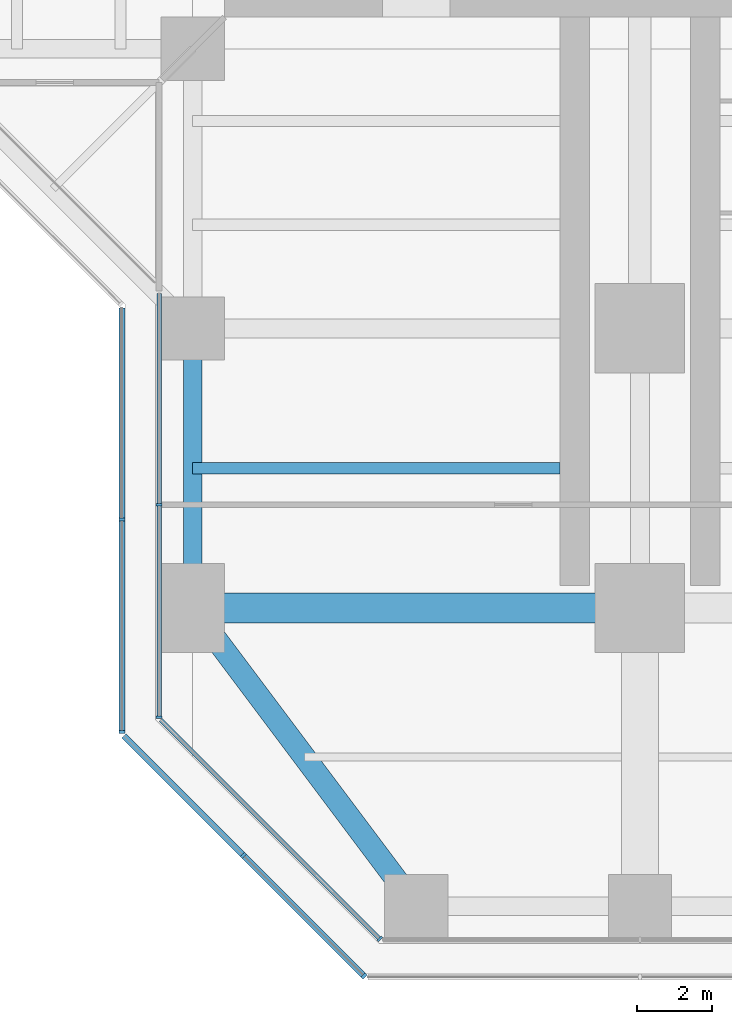
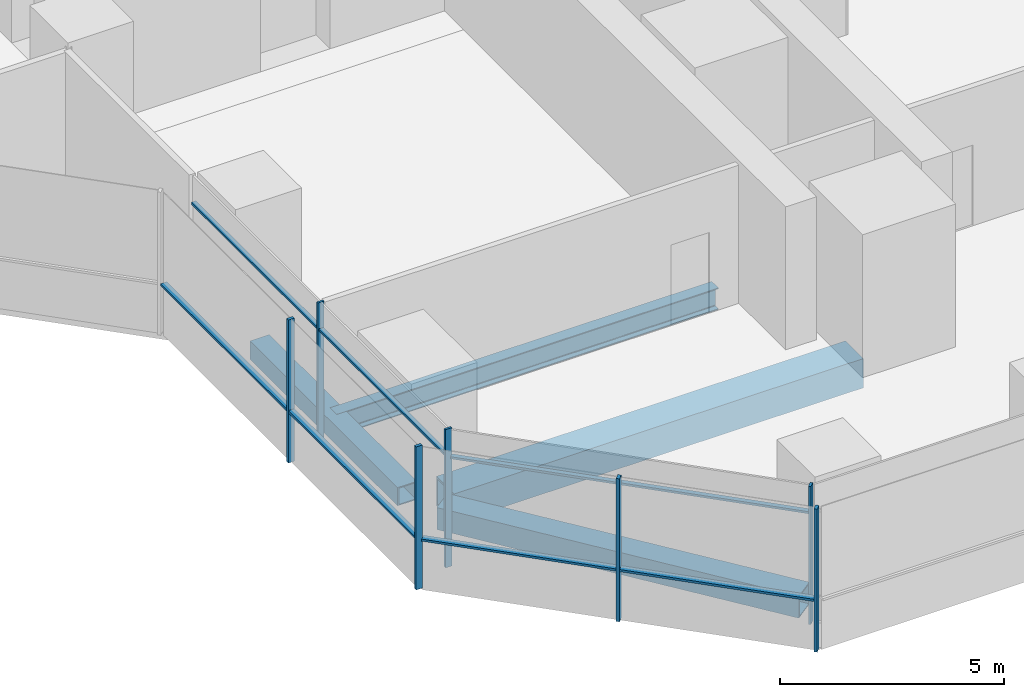
# One storey, part 2 of 22: 14 members, 4 beams, 4 elements without a shape of their own.
"""IFC4 building model written with IfcOpenShell, lengths in metres."""

from ifc_helpers import new_model, si_unit, direction, frame, origin, origin_2d, place, context, subcontext, project, spatial, rectangle, hollow_rectangle, i_section, extrude, material, material_profile, profile_set, type_object, element, aggregate, save


model = new_model("IFC4")

# Units and contexts
model_context = context("Model", 3, precision=1e-05, world=origin(), true_north=direction((0.0, 1.0)))
body_context = subcontext(model_context, "Body", "Model", "MODEL_VIEW")
ifc_project = project(units=[si_unit("LENGTHUNIT", "METRE"), si_unit("AREAUNIT", "SQUARE_METRE"), si_unit("VOLUMEUNIT", "CUBIC_METRE"), si_unit("PLANEANGLEUNIT", "RADIAN"), si_unit("MASSUNIT", "GRAM", prefix="KILO")], contexts=[model_context])

# Site, building, storey
site_placement = place(None, origin())
site = spatial("IfcSite", under=ifc_project, at=site_placement, CompositionType="ELEMENT")
building_placement = place(site_placement, origin())
building = spatial("IfcBuilding", under=site, at=building_placement, Name="Mizan Broadcast Tower", CompositionType="ELEMENT")
storey_placement = place(building_placement, frame((0.0, 0.0, 109.800048828125)))
storey = spatial("IfcBuildingStorey", under=building, at=storey_placement, Name="L24", CompositionType="ELEMENT", Elevation=109.800048828125)

# Beams
ifc_material_1 = material(Name="Steel S355", Category="steel")
ifc_material_profile_1 = material_profile(ifc_material_1, hollow_rectangle(XDim=0.5, YDim=0.5, WallThickness=0.030029296875, at=origin_2d()), Name="BOX 500x500x30")
ifc_profile_set_1 = profile_set([ifc_material_profile_1], Name="Steel S355")
beam_type_1 = type_object("IfcBeamType", Name="EDGE BEAM BOX 500x500x30", PredefinedType="SPANDREL", material=ifc_profile_set_1)
beam_1_placement = place(storey_placement, frame((-12.0, -19.949951171875, -0.380126953125), z_axis=(0.0, -1.0, 0.0), x_axis=(1.0, 0.0, 0.0)))
element("IfcBeam", 1, at=beam_1_placement, inside=storey, type_object=beam_type_1, Name="Edge beam BOX 500x500x30 L24 south arm", PredefinedType="SPANDREL", context=body_context, shape_type="SweptSolid", body=[
    extrude(hollow_rectangle(XDim=0.5, YDim=0.5, WallThickness=0.030029296875, at=origin_2d()), origin(), (0.0, 0.0, 1.0), 6.60009765625),
])
ifc_material_2 = material(Name="Steel S355", Category="steel")
ifc_material_profile_2 = material_profile(ifc_material_2, hollow_rectangle(XDim=0.60009765625, YDim=0.60009765625, WallThickness=0.030029296875, at=origin_2d()), Name="BOX 600x600x30")
ifc_profile_set_2 = profile_set([ifc_material_profile_2], Name="Steel S355")
beam_type_2 = type_object("IfcBeamType", Name="EDGE BEAM BOX 600x600x30", PredefinedType="SPANDREL", material=ifc_profile_set_2)
beam_2_placement = place(storey_placement, frame((-11.639892578125, -27.47998046875, -0.429931640625), z_axis=(0.599982243973, -0.800013316712, 0.0), x_axis=(0.800013316712, 0.599982243973, 0.0)))
element("IfcBeam", 2, at=beam_2_placement, inside=storey, type_object=beam_type_2, Name="Edge beam BOX 600x600x30 L24 south arm", PredefinedType="SPANDREL", context=body_context, shape_type="SweptSolid", body=[
    extrude(hollow_rectangle(XDim=0.60009765625, YDim=0.60009765625, WallThickness=0.030029296875, at=origin_2d()), origin(), (0.0, 0.0, 1.0), 8.7998046875),
])
ifc_material_3 = material(Name="Steel S460", Category="steel")
ifc_material_profile_3 = material_profile(ifc_material_3, hollow_rectangle(XDim=0.800048828125, YDim=0.800048828125, WallThickness=0.050048828125, at=origin_2d()), Name="BOX 800x800x50")
ifc_profile_set_3 = profile_set([ifc_material_profile_3], Name="Steel S460")
beam_type_3 = type_object("IfcBeamType", Name="GIRDER BOX 800x800x50", PredefinedType="BEAM", material=ifc_profile_set_3)
beam_3_placement = place(storey_placement, frame((-11.280029296875, -27.0, -0.530029296875), z_axis=(1.0, 0.0, 0.0), x_axis=(0.0, 1.0, 0.0)))
element("IfcBeam", 3, at=beam_3_placement, inside=storey, type_object=beam_type_3, Name="Girder BOX 800x800x50 L24 south arm", PredefinedType="BEAM", context=body_context, shape_type="SweptSolid", body=[
    extrude(hollow_rectangle(XDim=0.800048828125, YDim=0.800048828125, WallThickness=0.050048828125, at=origin_2d()), origin(), (0.0, 0.0, 1.0), 10.56005859375),
])

# Curtain wall, members
ifc_material_4 = material(Name="Aluminium framed glazing", Category="aluminium")
curtain_wall_type_1 = type_object("IfcCurtainWallType", Name="INNER SKIN LOW ZONE", PredefinedType="USERDEFINED", material=ifc_material_4)
curtain_wall_1_placement = place(storey_placement, origin())
curtain_wall_1 = element("IfcCurtainWall", 4, at=curtain_wall_1_placement, inside=storey, type_object=curtain_wall_type_1, Name="Inner skin low zone L24 S side", ObjectType="INNER SKIN LOW ZONE", PredefinedType="USERDEFINED")
ifc_material_5 = material(Name="Aluminium, pale anodised", Category="aluminium")
ifc_material_profile_4 = material_profile(ifc_material_5, rectangle(XDim=0.159912109375, YDim=0.06005859375, at=origin_2d()), Name="MULLION 160x60")
ifc_profile_set_4 = profile_set([ifc_material_profile_4], Name="Aluminium, pale anodised")
member_type_1 = type_object("IfcMemberType", Name="INNER SKIN MULLION 60x160", PredefinedType="MULLION", material=ifc_profile_set_4)
member_1_placement = place(storey_placement, frame((-12.89990234375, -24.229248046875, 0.0), z_axis=(0.0, 0.0, 1.0), x_axis=(1.0, 0.0, 0.0)))
member_1 = element("IfcMember", 5, at=member_1_placement, type_object=member_type_1, Name="Inner skin low zone L24 S side mullion 2", PredefinedType="MULLION", context=body_context, shape_type="SweptSolid", body=[
    extrude(rectangle(XDim=0.159912109375, YDim=0.06005859375, at=origin_2d()), origin(), (0.0, 0.0, 1.0), 3.77001953125),
])
member_2_placement = place(storey_placement, frame((-12.89990234375, -29.928466796875, 0.0), z_axis=(0.0, 0.0, 1.0), x_axis=(1.0, 0.0, 0.0)))
member_2 = element("IfcMember", 6, at=member_2_placement, type_object=member_type_1, Name="Inner skin low zone L24 S side mullion 3", PredefinedType="MULLION", context=body_context, shape_type="SweptSolid", body=[
    extrude(rectangle(XDim=0.159912109375, YDim=0.06005859375, at=origin_2d()), origin(), (0.0, 0.0, 1.0), 3.77001953125),
])

# Curtain wall, member
curtain_wall_2_placement = place(storey_placement, origin())
curtain_wall_2 = element("IfcCurtainWall", 7, at=curtain_wall_2_placement, inside=storey, type_object=curtain_wall_type_1, Name="Inner skin low zone L24 S chamfer", ObjectType="INNER SKIN LOW ZONE", PredefinedType="USERDEFINED")
member_3_placement = place(storey_placement, frame((-6.979736328125, -35.87890625, 0.0), z_axis=(0.0, 0.0, 1.0), x_axis=(0.707106781187, 0.707106781187, 0.0)))
member_3 = element("IfcMember", 8, at=member_3_placement, type_object=member_type_1, Name="Inner skin low zone L24 S chamfer mullion 2", PredefinedType="MULLION", context=body_context, shape_type="SweptSolid", body=[
    extrude(rectangle(XDim=0.159912109375, YDim=0.06005859375, at=origin_2d()), origin(), (0.0, 0.0, 1.0), 3.77001953125),
])

# Member
ifc_material_6 = material(Name="Aluminium, pale anodised", Category="aluminium")
ifc_material_profile_5 = material_profile(ifc_material_6, rectangle(XDim=0.1201171875, YDim=0.06005859375, at=origin_2d()), Name="TRANSOM 120x60")
ifc_profile_set_5 = profile_set([ifc_material_profile_5], Name="Aluminium, pale anodised")
member_type_2 = type_object("IfcMemberType", Name="INNER SKIN TRANSOM 60x120", PredefinedType="USERDEFINED", material=ifc_profile_set_5)
member_4_placement = place(storey_placement, frame((-12.89990234375, -18.56005859375, 3.030029296875), z_axis=(0.0, -1.0, 0.0), x_axis=(1.0, 0.0, 0.0)))
member_4 = element("IfcMember", 9, at=member_4_placement, type_object=member_type_2, Name="Inner skin low zone L24 S side transom 1.1", ObjectType="TRANSOM", PredefinedType="USERDEFINED", context=body_context, shape_type="SweptSolid", body=[
    extrude(rectangle(XDim=0.1201171875, YDim=0.06005859375, at=origin_2d()), origin(), (0.0, 0.0, 1.0), 5.63916015625),
])

member_5_placement = place(storey_placement, frame((-12.89990234375, -24.25927734375, 3.030029296875), z_axis=(0.0, -1.0, 0.0), x_axis=(1.0, 0.0, 0.0)))
member_5 = element("IfcMember", 10, at=member_5_placement, type_object=member_type_2, Name="Inner skin low zone L24 S side transom 2.1", ObjectType="TRANSOM", PredefinedType="USERDEFINED", context=body_context, shape_type="SweptSolid", body=[
    extrude(rectangle(XDim=0.1201171875, YDim=0.06005859375, at=origin_2d()), origin(), (0.0, 0.0, 1.0), 5.639404296875),
])

aggregate(curtain_wall_1, [member_1, member_2, member_4, member_5])

member_6_placement = place(storey_placement, frame((-12.857666015625, -30.0009765625, 3.030029296875), z_axis=(0.707106781187, -0.707106781187, 0.0), x_axis=(0.707106781187, 0.707106781187, 0.0)))
member_6 = element("IfcMember", 11, at=member_6_placement, type_object=member_type_2, Name="Inner skin low zone L24 S chamfer transom 1.1", ObjectType="TRANSOM", PredefinedType="USERDEFINED", context=body_context, shape_type="SweptSolid", body=[
    extrude(rectangle(XDim=0.1201171875, YDim=0.06005859375, at=origin_2d()), origin(), (0.0, 0.0, 1.0), 8.28271484375),
])

aggregate(curtain_wall_2, [member_3, member_6])

# Curtain wall, members
ifc_material_7 = material(Name="Aluminium framed glazing", Category="aluminium")
curtain_wall_type_2 = type_object("IfcCurtainWallType", Name="OUTER SKIN", PredefinedType="USERDEFINED", material=ifc_material_7)
curtain_wall_3_placement = place(storey_placement, origin())
curtain_wall_3 = element("IfcCurtainWall", 12, at=curtain_wall_3_placement, inside=storey, type_object=curtain_wall_type_2, Name="Outer skin L24 S side", ObjectType="OUTER SKIN", PredefinedType="USERDEFINED")
ifc_material_8 = material(Name="Aluminium, pale anodised", Category="aluminium")
ifc_material_profile_6 = material_profile(ifc_material_8, rectangle(XDim=0.159912109375, YDim=0.080078125, at=origin_2d()), Name="MULLION 160x80")
ifc_profile_set_6 = profile_set([ifc_material_profile_6], Name="Aluminium, pale anodised")
member_type_3 = type_object("IfcMemberType", Name="OUTER SKIN MULLION 80x160", PredefinedType="MULLION", material=ifc_profile_set_6)
member_7_placement = place(storey_placement, frame((-13.89990234375, -24.622802734375, 0.0), z_axis=(0.0, 0.0, 1.0), x_axis=(1.0, 0.0, 0.0)))
member_7 = element("IfcMember", 13, at=member_7_placement, type_object=member_type_3, Name="Outer skin L24 S side mullion 2", PredefinedType="MULLION", context=body_context, shape_type="SweptSolid", body=[
    extrude(rectangle(XDim=0.159912109375, YDim=0.080078125, at=origin_2d()), origin(), (0.0, 0.0, 1.0), 3.89990234375),
])
member_8_placement = place(storey_placement, frame((-13.89990234375, -30.332763671875, 0.0), z_axis=(0.0, 0.0, 1.0), x_axis=(1.0, 0.0, 0.0)))
member_8 = element("IfcMember", 14, at=member_8_placement, type_object=member_type_3, Name="Outer skin L24 S side mullion 3", PredefinedType="MULLION", context=body_context, shape_type="SweptSolid", body=[
    extrude(rectangle(XDim=0.159912109375, YDim=0.080078125, at=origin_2d()), origin(), (0.0, 0.0, 1.0), 3.89990234375),
])

curtain_wall_4_placement = place(storey_placement, origin())
curtain_wall_4 = element("IfcCurtainWall", 15, at=curtain_wall_4_placement, inside=storey, type_object=curtain_wall_type_2, Name="Outer skin L24 S chamfer", ObjectType="OUTER SKIN", PredefinedType="USERDEFINED")
member_9_placement = place(storey_placement, frame((-10.636474609375, -33.636474609375, 0.0), z_axis=(0.0, 0.0, 1.0), x_axis=(0.707106781187, 0.707106781187, 0.0)))
member_9 = element("IfcMember", 16, at=member_9_placement, type_object=member_type_3, Name="Outer skin L24 S chamfer mullion 2", PredefinedType="MULLION", context=body_context, shape_type="SweptSolid", body=[
    extrude(rectangle(XDim=0.159912109375, YDim=0.080078125, at=origin_2d()), origin(), (0.0, 0.0, 1.0), 3.89990234375),
])
member_10_placement = place(storey_placement, frame((-7.401123046875, -36.871826171875, 0.0), z_axis=(0.0, 0.0, 1.0), x_axis=(0.707106781187, 0.707106781187, 0.0)))
member_10 = element("IfcMember", 17, at=member_10_placement, type_object=member_type_3, Name="Outer skin L24 S chamfer mullion 3", PredefinedType="MULLION", context=body_context, shape_type="SweptSolid", body=[
    extrude(rectangle(XDim=0.159912109375, YDim=0.080078125, at=origin_2d()), origin(), (0.0, 0.0, 1.0), 3.89990234375),
])

# Member
ifc_material_9 = material(Name="Aluminium, pale anodised", Category="aluminium")
ifc_material_profile_7 = material_profile(ifc_material_9, rectangle(XDim=0.159912109375, YDim=0.06005859375, at=origin_2d()), Name="TRANSOM 160x60")
ifc_profile_set_7 = profile_set([ifc_material_profile_7], Name="Aluminium, pale anodised")
member_type_4 = type_object("IfcMemberType", Name="OUTER SKIN TRANSOM 60x160", PredefinedType="USERDEFINED", material=ifc_profile_set_7)
member_11_placement = place(storey_placement, frame((-13.89990234375, -18.952880859375, 1.39990234375), z_axis=(0.0, -1.0, 0.0), x_axis=(1.0, 0.0, 0.0)))
member_11 = element("IfcMember", 18, at=member_11_placement, type_object=member_type_4, Name="Outer skin L24 S side transom 1.1", ObjectType="TRANSOM", PredefinedType="USERDEFINED", context=body_context, shape_type="SweptSolid", body=[
    extrude(rectangle(XDim=0.159912109375, YDim=0.06005859375, at=origin_2d()), origin(), (0.0, 0.0, 1.0), 5.6298828125),
])

member_12_placement = place(storey_placement, frame((-13.89990234375, -24.662841796875, 1.39990234375), z_axis=(0.0, -1.0, 0.0), x_axis=(1.0, 0.0, 0.0)))
member_12 = element("IfcMember", 19, at=member_12_placement, type_object=member_type_4, Name="Outer skin L24 S side transom 2.1", ObjectType="TRANSOM", PredefinedType="USERDEFINED", context=body_context, shape_type="SweptSolid", body=[
    extrude(rectangle(XDim=0.159912109375, YDim=0.06005859375, at=origin_2d()), origin(), (0.0, 0.0, 1.0), 5.6298828125),
])

aggregate(curtain_wall_3, [member_7, member_8, member_11, member_12])

member_13_placement = place(storey_placement, frame((-13.843505859375, -30.429443359375, 1.39990234375), z_axis=(0.707106781187, -0.707106781187, 0.0), x_axis=(0.707106781187, 0.707106781187, 0.0)))
member_13 = element("IfcMember", 20, at=member_13_placement, type_object=member_type_4, Name="Outer skin L24 S chamfer transom 1.1", ObjectType="TRANSOM", PredefinedType="USERDEFINED", context=body_context, shape_type="SweptSolid", body=[
    extrude(rectangle(XDim=0.159912109375, YDim=0.06005859375, at=origin_2d()), origin(), (0.0, 0.0, 1.0), 4.495361328125),
])

member_14_placement = place(storey_placement, frame((-10.608154296875, -33.664794921875, 1.39990234375), z_axis=(0.707106781187, -0.707106781187, 0.0), x_axis=(0.707106781187, 0.707106781187, 0.0)))
member_14 = element("IfcMember", 21, at=member_14_placement, type_object=member_type_4, Name="Outer skin L24 S chamfer transom 2.1", ObjectType="TRANSOM", PredefinedType="USERDEFINED", context=body_context, shape_type="SweptSolid", body=[
    extrude(rectangle(XDim=0.159912109375, YDim=0.06005859375, at=origin_2d()), origin(), (0.0, 0.0, 1.0), 4.495361328125),
])

aggregate(curtain_wall_4, [member_9, member_10, member_13, member_14])

# Beam
ifc_material_10 = material(Name="Steel S355", Category="steel")
ifc_material_profile_8 = material_profile(ifc_material_10, i_section(OverallWidth=0.300048828125, OverallDepth=0.590087890625, WebThickness=0.012939453125, FlangeThickness=0.02490234375, FilletRadius=0.027099609375, at=origin_2d()), Name="HEA 600")
ifc_profile_set_8 = profile_set([ifc_material_profile_8], Name="Steel S355")
beam_type_4 = type_object("IfcBeamType", Name="SECONDARY BEAM HEA 600", PredefinedType="JOIST", material=ifc_profile_set_8)
beam_4_placement = place(storey_placement, frame((-12.0, -23.25, -0.425048828125), z_axis=(1.0, 0.0, 0.0), x_axis=(0.0, 1.0, 0.0)))
element("IfcBeam", 22, at=beam_4_placement, inside=storey, type_object=beam_type_4, Name="Secondary beam HEA 600 L24 south arm", PredefinedType="JOIST", context=body_context, shape_type="SweptSolid", body=[
    extrude(i_section(OverallWidth=0.300048828125, OverallDepth=0.590087890625, WebThickness=0.012939453125, FlangeThickness=0.02490234375, FilletRadius=0.027099609375, at=origin_2d()), origin(), (0.0, 0.0, 1.0), 9.85009765625),
])

save(model, "model.ifc")
